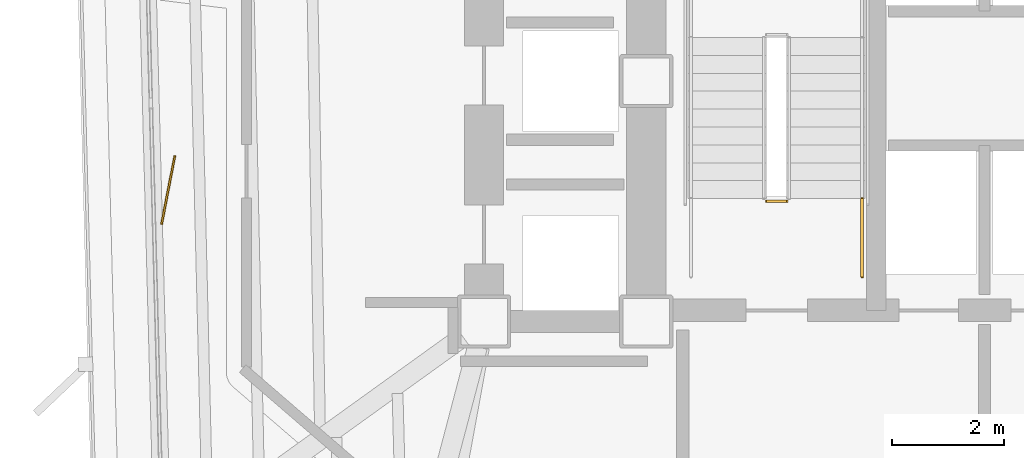
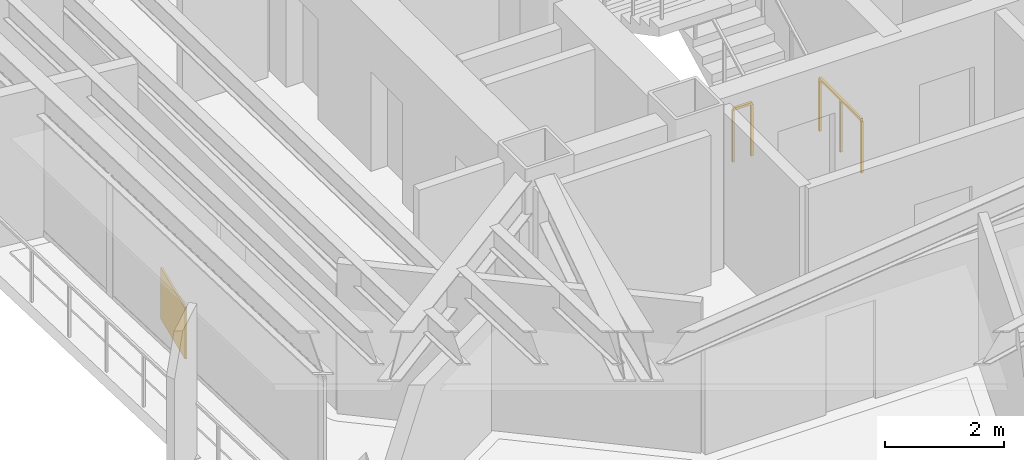
# One storey, part 11 of 14: 2 railings, 1 covering.
"""IFC4 building model written with IfcOpenShell, lengths in metres."""

from ifc_helpers import new_model, si_unit, direction, frame, origin, origin_2d, place, context, subcontext, project, spatial, rectangle, extrude, material, layer, layer_set, type_object, element, save


model = new_model("IFC4")

# Units and contexts
model_context = context("Model", 3, precision=1e-05, world=origin(), true_north=direction((0.0, 1.0)))
body_context = subcontext(model_context, "Body", "Model", "MODEL_VIEW")
ifc_project = project(units=[si_unit("LENGTHUNIT", "METRE"), si_unit("AREAUNIT", "SQUARE_METRE"), si_unit("VOLUMEUNIT", "CUBIC_METRE"), si_unit("PLANEANGLEUNIT", "RADIAN"), si_unit("MASSUNIT", "GRAM", prefix="KILO")], contexts=[model_context])

# Site, building, storey
site_placement = place(None, origin())
site = spatial("IfcSite", under=ifc_project, at=site_placement, CompositionType="ELEMENT")
building_placement = place(site_placement, origin())
building = spatial("IfcBuilding", under=site, at=building_placement, Name="Rocaltana Carrier Exchange", CompositionType="ELEMENT")
storey_placement = place(building_placement, frame((0.0, 0.0, 32.320068359375)))
storey = spatial("IfcBuildingStorey", under=building, at=storey_placement, Name="L10", CompositionType="ELEMENT", Elevation=32.320068359375)

# Railings
ifc_material_1 = material(Name="Powder-Coated Aluminium 6063-T6", Category="aluminium")
ifc_layer_1 = layer(ifc_material_1, 0.048095703125)
ifc_layer_set_1 = layer_set([ifc_layer_1], Name="Powder-Coated Aluminium 6063-T6")
railing_type = type_object("IfcRailingType", Name="Stair Well Guardrail 1100", PredefinedType="GUARDRAIL", material=ifc_layer_set_1)
railing_1_placement = place(storey_placement, frame((-3.5400390625, -2.14990234375, 0.0)))
element("IfcRailing", 1, at=railing_1_placement, inside=storey, type_object=railing_type, Name="L10 ST-1 stair guard 7", PredefinedType="GUARDRAIL", context=body_context, shape_type="SweptSolid", body=[
    extrude(rectangle(XDim=0.048095703125, YDim=0.048095703125, at=origin_2d()), frame((0.0, 0.0, 1.076171875), z_axis=(-1.0, 0.0, 0.0), x_axis=(0.0, -1.0, 0.0)), (0.0, 0.0, 1.0), 0.35986328125),
    extrude(rectangle(XDim=0.0419921875, YDim=0.0419921875, at=origin_2d()), origin(), (0.0, 0.0, 1.0), 1.052001953125),
    extrude(rectangle(XDim=0.0419921875, YDim=0.0419921875, at=origin_2d()), frame((-0.35986328125, 0.0, 0.0)), (0.0, 0.0, 1.0), 1.052001953125),
])
railing_2_placement = place(storey_placement, frame((-2.18994140625, -3.5, 0.0)))
element("IfcRailing", 2, at=railing_2_placement, inside=storey, type_object=railing_type, Name="L10 ST-1 stair guard 8", PredefinedType="GUARDRAIL", context=body_context, shape_type="SweptSolid", body=[
    extrude(rectangle(XDim=0.048095703125, YDim=0.048095703125, at=origin_2d()), frame((0.0, 0.0, 1.076171875), z_axis=(0.0, 1.0, 0.0), x_axis=(-1.0, 0.0, 0.0)), (0.0, 0.0, 1.0), 1.39990234375),
    extrude(rectangle(XDim=0.0419921875, YDim=0.0419921875, at=origin_2d()), origin(), (0.0, 0.0, 1.0), 1.052001953125),
    extrude(rectangle(XDim=0.0419921875, YDim=0.0419921875, at=origin_2d()), frame((0.0, 0.699951171875, 0.0)), (0.0, 0.0, 1.0), 1.052001953125),
    extrude(rectangle(XDim=0.0419921875, YDim=0.0419921875, at=origin_2d()), frame((0.0, 1.39990234375, 0.0)), (0.0, 0.0, 1.0), 1.052001953125),
])

# Covering
ifc_material_2 = material(Name="Honed Piedra Muneca Sandstone", Category="masonry")
ifc_layer_2 = layer(ifc_material_2, 0.034912109375)
ifc_layer_set_2 = layer_set([ifc_layer_2], Name="Honed Piedra Muneca Sandstone")
covering_type = type_object("IfcCoveringType", Name="Stone Facade Cladding 35", PredefinedType="CLADDING", material=ifc_layer_set_2)
covering_placement = place(storey_placement, frame((-14.60009765625, -1.948974609375, 0.0), z_axis=(0.0, 0.0, 1.0), x_axis=(0.190808995377, 0.981627183448, 0.0)))
element("IfcCovering", 3, at=covering_placement, inside=storey, type_object=covering_type, Name="L10 Stone Facade Cladding Panel 1", PredefinedType="CLADDING", context=body_context, shape_type="SweptSolid", body=[
    extrude(rectangle(XDim=1.25, YDim=0.034912109375, at=origin_2d()), origin(), (0.0, 0.0, 1.0), 1.050048828125),
])

save(model, "model.ifc")
